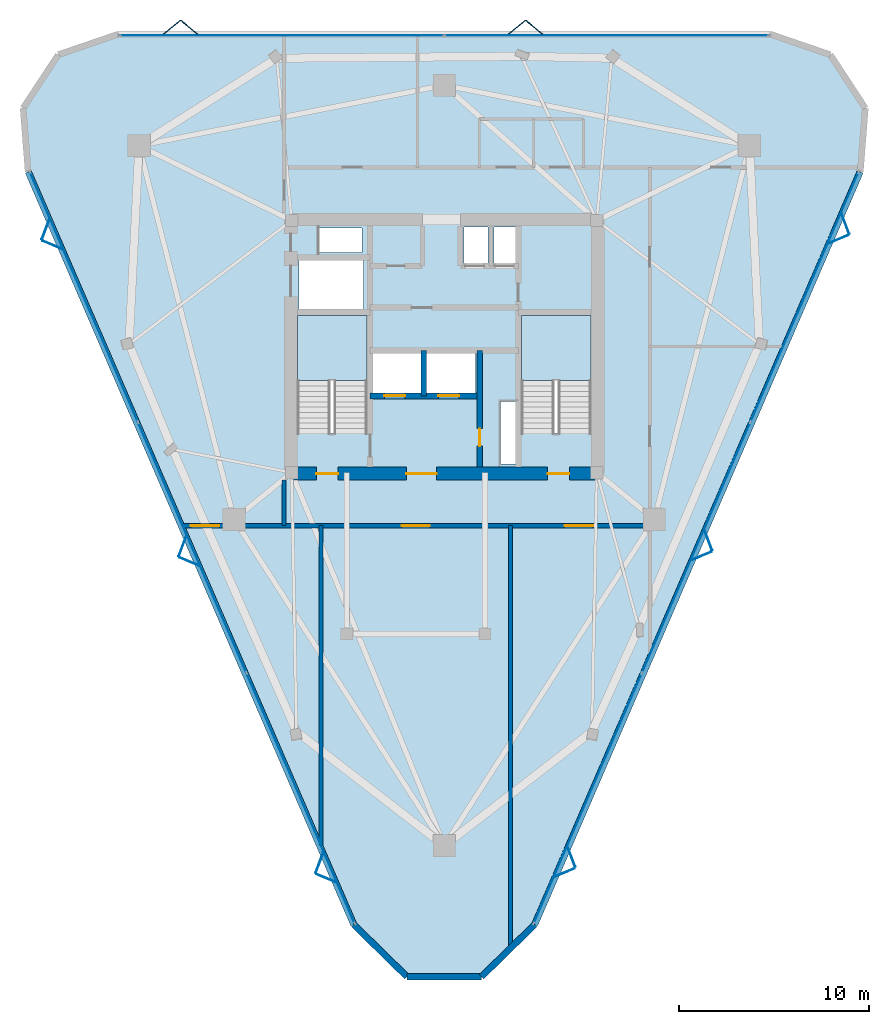
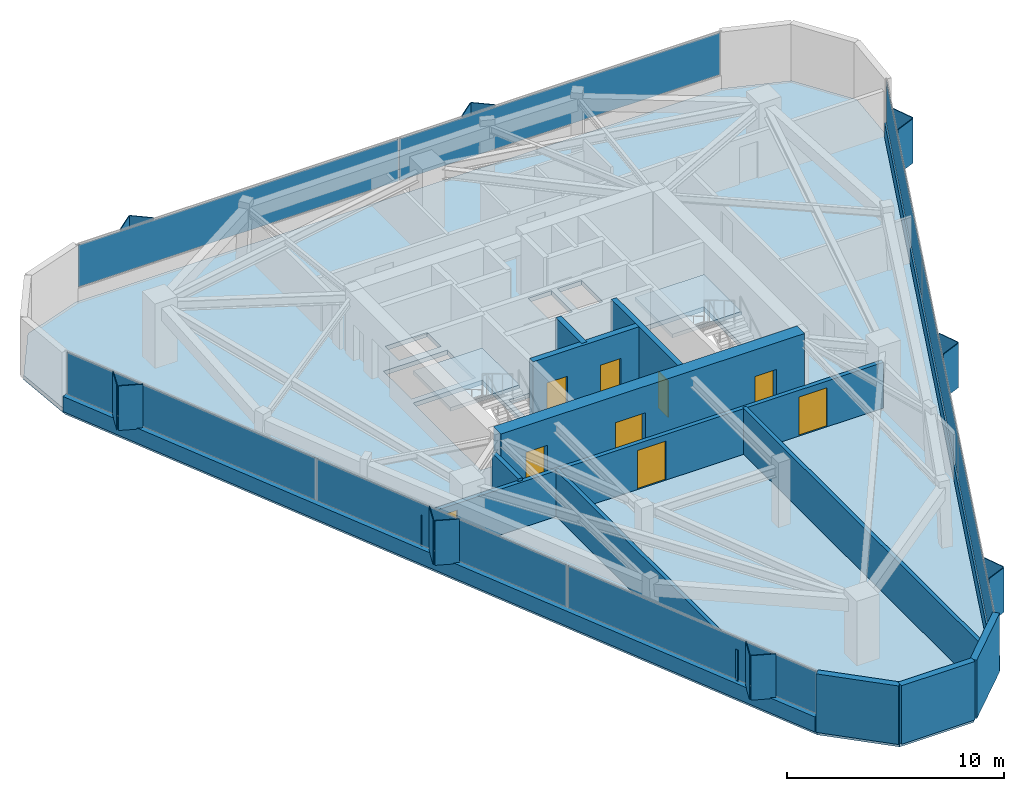
# One storey, part 8 of 11: 24 plates, 13 walls, 9 doors, 3 slabs, 9 openings, 5 elements without a shape of their own.
"""IFC4 building model written with IfcOpenShell, lengths in metres."""

from ifc_helpers import new_model, si_unit, direction, frame, frame_2d, origin, origin_2d, place, context, subcontext, project, spatial, polyline, rectangle, outline, extrude, material, layer, layer_set, type_object, element, fill, aggregate, save


model = new_model("IFC4")

# Units and contexts
model_context = context("Model", 3, precision=1e-05, world=origin(), true_north=direction((0.0, 1.0)))
body_context = subcontext(model_context, "Body", "Model", "MODEL_VIEW")
ifc_project = project(units=[si_unit("LENGTHUNIT", "METRE"), si_unit("AREAUNIT", "SQUARE_METRE"), si_unit("VOLUMEUNIT", "CUBIC_METRE"), si_unit("PLANEANGLEUNIT", "RADIAN"), si_unit("MASSUNIT", "GRAM", prefix="KILO")], contexts=[model_context])

# Site, building, storey
site_placement = place(None, origin())
site = spatial("IfcSite", under=ifc_project, at=site_placement, CompositionType="ELEMENT")
building_placement = place(site_placement, origin())
building = spatial("IfcBuilding", under=site, at=building_placement, Name="Talyreon Biosciences Tower", CompositionType="ELEMENT")
storey_placement = place(building_placement, frame((0.0, 0.0, 271.75)))
storey = spatial("IfcBuildingStorey", under=building, at=storey_placement, Name="L72", CompositionType="ELEMENT", Elevation=271.75)

# Curtain wall, plates
ifc_material_1 = material(Name="Thermally broken aluminium and low-E glazing", Category="aluminium")
ifc_layer_1 = layer(ifc_material_1, 0.175048828125)
ifc_layer_set_1 = layer_set([ifc_layer_1], Name="Thermally broken aluminium and low-E glazing")
curtain_wall_type = type_object("IfcCurtainWallType", Name="CurtainWall_Zone5CompLab", PredefinedType="NOTDEFINED", material=ifc_layer_set_1)
curtain_wall_1_placement = place(storey_placement, origin())
curtain_wall_1 = element("IfcCurtainWall", 1, at=curtain_wall_1_placement, inside=storey, type_object=curtain_wall_type, Name="L72 Unitised Curtain Wall FCW-L72-00", PredefinedType="NOTDEFINED")
ifc_material_2 = material(Name="Triple-silver low-E insulated glazing", Category="glass")
ifc_layer_2 = layer(ifc_material_2, 0.031982421875)
ifc_layer_set_2 = layer_set([ifc_layer_2], Name="Triple-silver low-E insulated glazing")
plate_type_1 = type_object("IfcPlateType", Name="CWGlazingPanel_32", PredefinedType="CURTAIN_PANEL", material=ifc_layer_set_2)
plate_1_placement = place(storey_placement, frame((58.431884765625, 44.170654296875, 0.875), z_axis=(0.0, 0.0, 1.0), x_axis=(-0.396886681377, 0.917867616895, 0.0)))
plate_1 = element("IfcPlate", 2, at=plate_1_placement, type_object=plate_type_1, Name="CW6 panel 1.1", PredefinedType="CURTAIN_PANEL", context=body_context, shape_type="SweptSolid", body=[
    extrude(rectangle(XDim=14.32568359375, YDim=0.031982421875, at=origin_2d()), origin(), (0.0, 0.0, 1.0), 2.360107421875),
])
plate_2_placement = place(storey_placement, frame((52.7138671875, 57.394287109375, 0.875), z_axis=(0.0, 0.0, 1.0), x_axis=(-0.396886681377, 0.917867616895, 0.0)))
plate_2 = element("IfcPlate", 3, at=plate_2_placement, type_object=plate_type_1, Name="CW6 panel 2.1", PredefinedType="CURTAIN_PANEL", context=body_context, shape_type="SweptSolid", body=[
    extrude(rectangle(XDim=14.358154296875, YDim=0.031982421875, at=origin_2d()), origin(), (0.0, 0.0, 1.0), 2.360107421875),
])
plate_3_placement = place(storey_placement, frame((46.99609375, 70.617919921875, 0.875), z_axis=(0.0, 0.0, 1.0), x_axis=(-0.396886681377, 0.917867616895, 0.0)))
plate_3 = element("IfcPlate", 4, at=plate_3_placement, type_object=plate_type_1, Name="CW6 panel 3.1", PredefinedType="CURTAIN_PANEL", context=body_context, shape_type="SweptSolid", body=[
    extrude(rectangle(XDim=14.32568359375, YDim=0.031982421875, at=origin_2d()), origin(), (0.0, 0.0, 1.0), 2.360107421875),
])
aggregate(curtain_wall_1, [plate_1, plate_2, plate_3])

curtain_wall_2_placement = place(storey_placement, origin())
curtain_wall_2 = element("IfcCurtainWall", 5, at=curtain_wall_2_placement, inside=storey, type_object=curtain_wall_type, Name="L72 Unitised Curtain Wall FCW-L72-04", PredefinedType="NOTDEFINED")
plate_4_placement = place(storey_placement, frame((57.4296875, 84.404052734375, 0.875), z_axis=(0.0, 0.0, 1.0), x_axis=(1.0, 0.0, 0.0)))
plate_4 = element("IfcPlate", 6, at=plate_4_placement, type_object=plate_type_1, Name="CW6 panel 1.1", PredefinedType="CURTAIN_PANEL", context=body_context, shape_type="SweptSolid", body=[
    extrude(rectangle(XDim=17.07568359375, YDim=0.031982421875, at=origin_2d()), origin(), (0.0, 0.0, 1.0), 2.360107421875),
])
plate_5_placement = place(storey_placement, frame((74.5703125, 84.404052734375, 0.875), z_axis=(0.0, 0.0, 1.0), x_axis=(1.0, 0.0, 0.0)))
plate_5 = element("IfcPlate", 7, at=plate_5_placement, type_object=plate_type_1, Name="CW6 panel 2.1", PredefinedType="CURTAIN_PANEL", context=body_context, shape_type="SweptSolid", body=[
    extrude(rectangle(XDim=17.07568359375, YDim=0.031982421875, at=origin_2d()), origin(), (0.0, 0.0, 1.0), 2.360107421875),
])
aggregate(curtain_wall_2, [plate_4, plate_5])

curtain_wall_3_placement = place(storey_placement, origin())
curtain_wall_3 = element("IfcCurtainWall", 8, at=curtain_wall_3_placement, inside=storey, type_object=curtain_wall_type, Name="L72 Unitised Curtain Wall FCW-L72-08", PredefinedType="NOTDEFINED")
plate_6_placement = place(storey_placement, frame((85.00390625, 70.617919921875, 0.875), z_axis=(0.0, 0.0, 1.0), x_axis=(-0.396886681377, -0.917867616895, 0.0)))
plate_6 = element("IfcPlate", 9, at=plate_6_placement, type_object=plate_type_1, Name="CW6 panel 1.1", PredefinedType="CURTAIN_PANEL", context=body_context, shape_type="SweptSolid", body=[
    extrude(rectangle(XDim=14.32568359375, YDim=0.031982421875, at=origin_2d()), origin(), (0.0, 0.0, 1.0), 2.360107421875),
])
plate_7_placement = place(storey_placement, frame((79.2861328125, 57.394287109375, 0.875), z_axis=(0.0, 0.0, 1.0), x_axis=(-0.396886681377, -0.917867616895, 0.0)))
plate_7 = element("IfcPlate", 10, at=plate_7_placement, type_object=plate_type_1, Name="CW6 panel 2.1", PredefinedType="CURTAIN_PANEL", context=body_context, shape_type="SweptSolid", body=[
    extrude(rectangle(XDim=14.358154296875, YDim=0.031982421875, at=origin_2d()), origin(), (0.0, 0.0, 1.0), 2.360107421875),
])
plate_8_placement = place(storey_placement, frame((73.568115234375, 44.170654296875, 0.875), z_axis=(0.0, 0.0, 1.0), x_axis=(-0.396886681377, -0.917867616895, 0.0)))
plate_8 = element("IfcPlate", 11, at=plate_8_placement, type_object=plate_type_1, Name="CW6 panel 3.1", PredefinedType="CURTAIN_PANEL", context=body_context, shape_type="SweptSolid", body=[
    extrude(rectangle(XDim=14.32568359375, YDim=0.031982421875, at=origin_2d()), origin(), (0.0, 0.0, 1.0), 2.360107421875),
])
aggregate(curtain_wall_3, [plate_6, plate_7, plate_8])

# Slab
ifc_material_3 = material(Name="Concrete C40/50", Category="concrete")
ifc_layer_3 = layer(ifc_material_3, 0.25)
ifc_layer_set_3 = layer_set([ifc_layer_3], Name="Concrete C40/50")
slab_type_1 = type_object("IfcSlabType", Name="DryLabFloorSlab_250", PredefinedType="FLOOR", material=ifc_layer_set_3)
slab_1_placement = place(storey_placement, frame((0.0, 0.0, -0.25)))
element("IfcSlab", 12, at=slab_1_placement, inside=storey, type_object=slab_type_1, Name="L72 Structural Floor Slab", PredefinedType="FLOOR", context=body_context, shape_type="SweptSolid", body=[
    extrude(outline(polyline([(61.22705078125, 37.504638671875), (44.053955078125, 77.22021484375), (43.79052734375, 80.578369140625), (45.64013671875, 83.393310546875), (48.826904296875, 84.484130859375), (83.173095703125, 84.484130859375), (86.35986328125, 83.393310546875), (88.20947265625, 80.578369140625), (87.946044921875, 77.22021484375), (70.77294921875, 37.504638671875), (67.965087890625, 34.75390625), (64.034912109375, 34.75390625), (61.22705078125, 37.504638671875)]), holes=[polyline([(69.820068359375, 65.10009765625), (69.820068359375, 61.800048828125), (68.9599609375, 61.800048828125), (68.9599609375, 65.10009765625), (69.820068359375, 65.10009765625)]), polyline([(61.929931640625, 69.64990234375), (61.929931640625, 63.407958984375), (58.25, 63.407958984375), (58.25, 69.64990234375), (61.929931640625, 69.64990234375)]), polyline([(73.75, 69.64990234375), (73.75, 63.407958984375), (70.070068359375, 63.407958984375), (70.070068359375, 69.64990234375), (73.75, 69.64990234375)]), polyline([(64.800048828125, 67.64990234375), (64.800048828125, 65.550048828125), (62.199951171875, 65.550048828125), (62.199951171875, 67.64990234375), (64.800048828125, 67.64990234375)]), polyline([(67.64990234375, 67.64990234375), (67.64990234375, 65.550048828125), (65.050048828125, 65.550048828125), (65.050048828125, 67.64990234375), (67.64990234375, 67.64990234375)]), polyline([(61.75, 72.550048828125), (61.75, 69.97998046875), (58.35009765625, 69.97998046875), (58.35009765625, 72.550048828125), (61.75, 72.550048828125)]), polyline([(68.300048828125, 74.300048828125), (68.300048828125, 72.35009765625), (67.050048828125, 72.35009765625), (67.050048828125, 74.300048828125), (68.300048828125, 74.300048828125)]), polyline([(69.919921875, 72.35009765625), (68.6201171875, 72.35009765625), (68.6201171875, 74.300048828125), (69.919921875, 74.300048828125), (69.919921875, 72.35009765625)]), polyline([(61.64990234375, 72.9599609375), (59.39990234375, 72.9599609375), (59.39990234375, 74.25), (61.64990234375, 74.25), (61.64990234375, 72.9599609375)])]), origin(), (0.0, 0.0, 1.0), 0.25),
])

# Plates
ifc_material_4 = material(Name="Ivory GFRC sunshade panel", Category="concrete")
ifc_layer_4 = layer(ifc_material_4, 0.044921875)
ifc_layer_set_4 = layer_set([ifc_layer_4], Name="Ivory GFRC sunshade panel")
plate_type_2 = type_object("IfcPlateType", Name="FoldedVSunshade_NorthFace_SUNSHADE", PredefinedType="USERDEFINED", material=ifc_layer_set_4)
for number, where, z_axis, x_axis, name in (
    (13, (51.64697265625, 84.843994140625, 0.7900390625), (0.0, 0.0, 1.0), (0.771624583388, 0.636078220278, 0.0), "L72 Folded V-Sunshade Panel 04.01L"),
    (14, (52.546875, 84.843994140625, 0.7900390625), (0.0, 0.0, 1.0), (0.771624583388, -0.636078220278, 0.0), "L72 Folded V-Sunshade Panel 04.01R"),
    (15, (69.846923828125, 84.843994140625, 0.7900390625), (0.0, 0.0, 1.0), (0.771624583388, 0.636078220278, 0.0), "L72 Folded V-Sunshade Panel 04.02L"),
    (16, (70.746826171875, 84.843994140625, 0.7900390625), (0.0, 0.0, 1.0), (0.771624583388, -0.636078220278, 0.0), "L72 Folded V-Sunshade Panel 04.02R"),
):
    element("IfcPlate", number, at=place(storey_placement, frame(where, z_axis=z_axis, x_axis=x_axis)), inside=storey, type_object=plate_type_2, Name=name, ObjectType="SUNSHADE", PredefinedType="USERDEFINED", context=body_context, shape_type="SweptSolid", body=[
        extrude(rectangle(XDim=1.14990234375, YDim=0.044921875, at=origin_2d()), origin(), (0.0, 0.0, 1.0), 2.510009765625),
    ])
ifc_layer_5 = layer(ifc_material_4, 0.044921875)
ifc_layer_set_5 = layer_set([ifc_layer_5], Name="Ivory GFRC sunshade panel")
plate_type_3 = type_object("IfcPlateType", Name="FoldedVSunshade_SunFace_SUNSHADE", PredefinedType="USERDEFINED", material=ifc_layer_set_5)
for number, where, z_axis, x_axis, name in (
    (17, (59.77734375, 39.9501953125, 0.7900390625), (0.0, 0.0, 1.0), (-0.923102865619, 0.3845531166, 0.0), "L72 Folded V-Sunshade Panel 00.01L"),
    (18, (59.420166015625, 40.776123046875, 0.7900390625), (0.0, 0.0, 1.0), (0.352103031817, 0.935961246519, 0.0), "L72 Folded V-Sunshade Panel 00.01R"),
    (19, (52.55419921875, 56.6552734375, 0.7900390625), (0.0, 0.0, 1.0), (-0.923102865619, 0.3845531166, 0.0), "L72 Folded V-Sunshade Panel 00.02L"),
    (20, (52.197021484375, 57.4814453125, 0.7900390625), (0.0, 0.0, 1.0), (0.352103031817, 0.935961246519, 0.0), "L72 Folded V-Sunshade Panel 00.02R"),
    (21, (45.330810546875, 73.360595703125, 0.7900390625), (0.0, 0.0, 1.0), (-0.923102865619, 0.3845531166, 0.0), "L72 Folded V-Sunshade Panel 00.03L"),
    (22, (44.9736328125, 74.1865234375, 0.7900390625), (0.0, 0.0, 1.0), (0.352103031817, 0.935961246519, 0.0), "L72 Folded V-Sunshade Panel 00.03R"),
    (23, (87.1572265625, 74.489013671875, 0.7900390625), (0.0, 0.0, 1.0), (0.352103031817, -0.935961246519, 0.0), "L72 Folded V-Sunshade Panel 08.01L"),
    (24, (86.800048828125, 73.6630859375, 0.7900390625), (0.0, 0.0, 1.0), (-0.923102865619, -0.3845531166, 0.0), "L72 Folded V-Sunshade Panel 08.01R"),
    (25, (79.933837890625, 57.78369140625, 0.7900390625), (0.0, 0.0, 1.0), (0.352103031817, -0.935961246519, 0.0), "L72 Folded V-Sunshade Panel 08.02L"),
    (26, (79.57666015625, 56.957763671875, 0.7900390625), (0.0, 0.0, 1.0), (-0.923102865619, -0.3845531166, 0.0), "L72 Folded V-Sunshade Panel 08.02R"),
    (27, (72.71044921875, 41.07861328125, 0.7900390625), (0.0, 0.0, 1.0), (0.352103031817, -0.935961246519, 0.0), "L72 Folded V-Sunshade Panel 08.03L"),
    (28, (72.353271484375, 40.252685546875, 0.7900390625), (0.0, 0.0, 1.0), (-0.923102865619, -0.3845531166, 0.0), "L72 Folded V-Sunshade Panel 08.03R"),
):
    element("IfcPlate", number, at=place(storey_placement, frame(where, z_axis=z_axis, x_axis=x_axis)), inside=storey, type_object=plate_type_3, Name=name, ObjectType="SUNSHADE", PredefinedType="USERDEFINED", context=body_context, shape_type="SweptSolid", body=[
        extrude(rectangle(XDim=1.14990234375, YDim=0.044921875, at=origin_2d()), origin(), (0.0, 0.0, 1.0), 2.510009765625),
    ])

# Stair, slab
stair_type = type_object("IfcStairType", Name="DoglegEscapeStair_3650", PredefinedType="HALF_TURN_STAIR", material=ifc_material_3)
stair_1_placement = place(storey_placement, origin())
stair_1 = element("IfcStair", 29, at=stair_1_placement, inside=storey, type_object=stair_type, Name="L72 Core Escape Stair 1", PredefinedType="HALF_TURN_STAIR")
ifc_layer_6 = layer(ifc_material_3, 0.199951171875)
ifc_layer_set_6 = layer_set([ifc_layer_6], Name="Concrete C40/50")
slab_type_2 = type_object("IfcSlabType", Name="StairLandingSlab_200", PredefinedType="LANDING", material=ifc_layer_set_6)
slab_2_placement = place(storey_placement, frame((0.0, 0.0, 1.625)))
slab_2 = element("IfcSlab", 30, at=slab_2_placement, type_object=slab_type_2, Name="ST-1 landing 1", PredefinedType="LANDING", context=body_context, shape_type="SweptSolid", body=[
    extrude(outline(polyline([(61.929931640625, 66.199951171875), (61.929931640625, 69.64990234375), (58.25, 69.64990234375), (58.25, 66.199951171875), (61.929931640625, 66.199951171875)])), origin(), (0.0, 0.0, 1.0), 0.199951171875),
])
aggregate(stair_1, [slab_2])

stair_2_placement = place(storey_placement, origin())
stair_2 = element("IfcStair", 31, at=stair_2_placement, inside=storey, type_object=stair_type, Name="L72 Core Escape Stair 2", PredefinedType="HALF_TURN_STAIR")
slab_3_placement = place(storey_placement, frame((0.0, 0.0, 1.625)))
slab_3 = element("IfcSlab", 32, at=slab_3_placement, type_object=slab_type_2, Name="ST-2 landing 1", PredefinedType="LANDING", context=body_context, shape_type="SweptSolid", body=[
    extrude(outline(polyline([(73.75, 66.199951171875), (73.75, 69.64990234375), (70.070068359375, 69.64990234375), (70.070068359375, 66.199951171875), (73.75, 66.199951171875)])), origin(), (0.0, 0.0, 1.0), 0.199951171875),
])
aggregate(stair_2, [slab_3])

# Walls
ifc_material_5 = material(Name="Gypsum fireboard acoustic stud", Category="gypsum")
ifc_layer_7 = layer(ifc_material_5, 0.199951171875)
ifc_layer_set_7 = layer_set([ifc_layer_7], Name="Gypsum fireboard acoustic stud")
wall_type_1 = type_object("IfcWallType", Name="ChemControlPartition_200", PredefinedType="PARTITIONING", material=ifc_layer_set_7)
wall_1_placement = place(storey_placement, frame((59.5, 41.712890625, 0.0), z_axis=(0.0, 0.0, 1.0), x_axis=(0.0, 1.0, 0.0)))
element("IfcWall", 33, at=wall_1_placement, inside=storey, type_object=wall_type_1, Name="L72 Interior Wall IW-L72-SDIV1", PredefinedType="PARTITIONING", context=body_context, shape_type="SweptSolid", body=[
    extrude(rectangle(XDim=16.837158203125, YDim=0.199951171875, at=frame_2d((8.41845703125, 0.0))), origin(), (0.0, 0.0, 1.0), 2.580078125),
])
wall_2_placement = place(storey_placement, frame((69.5, 36.376708984375, 0.0), z_axis=(0.0, 0.0, 1.0), x_axis=(0.0, 1.0, 0.0)))
element("IfcWall", 34, at=wall_2_placement, inside=storey, type_object=wall_type_1, Name="L72 Interior Wall IW-L72-SDIV2", PredefinedType="PARTITIONING", context=body_context, shape_type="SweptSolid", body=[
    extrude(rectangle(XDim=22.17333984375, YDim=0.199951171875, at=frame_2d((11.086669921875, 0.0))), origin(), (0.0, 0.0, 1.0), 2.580078125),
])
ifc_material_6 = material(Name="Concrete C50/60", Category="concrete")
ifc_layer_8 = layer(ifc_material_6, 0.280029296875)
ifc_layer_set_8 = layer_set([ifc_layer_8], Name="Concrete C50/60")
wall_type_2 = type_object("IfcWallType", Name="CoreShearWall_280", PredefinedType="SHEAR", material=ifc_layer_set_8)
wall_3_placement = place(storey_placement, frame((64.919921875, 65.39990234375, 0.0), z_axis=(0.0, 0.0, 1.0), x_axis=(0.0, 1.0, 0.0)))
element("IfcWall", 35, at=wall_3_placement, inside=storey, type_object=wall_type_2, Name="L72 Core Shaft Wall SWSHD1", PredefinedType="SHEAR", context=body_context, shape_type="SweptSolid", body=[
    extrude(rectangle(XDim=2.400146484375, YDim=0.280029296875, at=frame_2d((1.2001953125, 0.0))), origin(), (0.0, 0.0, 1.0), 3.64990234375),
])

# Wall, opening, door
wall_4_placement = place(storey_placement, frame((67.8798828125, 61.64990234375, 0.0), z_axis=(0.0, 0.0, 1.0), x_axis=(0.0, 1.0, 0.0)))
wall_4 = element("IfcWall", 36, at=wall_4_placement, inside=storey, type_object=wall_type_2, Name="L72 Core Shaft Wall SWFFE", PredefinedType="SHEAR", context=body_context, shape_type="SweptSolid", body=[
    extrude(rectangle(XDim=6.150146484375, YDim=0.280029296875, at=frame_2d((3.0751953125, 0.0))), origin(), (0.0, 0.0, 1.0), 3.64990234375),
])
opening_1_placement = place(wall_4_placement, frame((1.10009765625, 0.0, 0.0)))
opening_1 = element("IfcOpeningElement", 37, at=opening_1_placement, cuts=wall_4, Name="Opening DR-L72-RSE", PredefinedType="OPENING", context=body_context, shape_type="SweptSolid", body=[
    extrude(rectangle(XDim=0.919921875, YDim=2.050048828125, at=frame_2d((0.4599609375, 1.02490234375))), frame((0.0, 0.14990234375, 0.0), z_axis=(0.0, -1.0, 0.0), x_axis=(1.0, 0.0, 0.0)), (0.0, 0.0, 1.0), 0.300048828125),
])
ifc_material_7 = material(Name="Painted steel fire-rated riser door", Category="steel")
door_type_1 = type_object("IfcDoorType", Name="RiserPlantAccessDoor_920x2050", OperationType="NOTDEFINED", PredefinedType="DOOR", material=ifc_material_7)
door_1_placement = place(opening_1_placement, origin())
door_1 = element("IfcDoor", 38, at=door_1_placement, inside=storey, type_object=door_type_1, Name="L72 Core Door DR-L72-RSE", OperationType="SINGLE_SWING_RIGHT", OverallHeight=2.050048828125, OverallWidth=0.919921875, PredefinedType="DOOR", context=body_context, shape_type="SweptSolid", body=[
    extrude(rectangle(XDim=0.919921875, YDim=2.050048828125, at=frame_2d((0.4599609375, 1.02490234375))), frame((0.0, 0.02490234375, 0.0), z_axis=(0.0, -1.0, 0.0), x_axis=(1.0, 0.0, 0.0)), (0.0, 0.0, 1.0), 0.050048828125),
])
fill(opening_1, door_1)

# Wall, openings, doors
ifc_layer_9 = layer(ifc_material_6, 0.320068359375)
ifc_layer_set_9 = layer_set([ifc_layer_9], Name="Concrete C50/60")
wall_type_3 = type_object("IfcWallType", Name="CoreShearWall_320", PredefinedType="SHEAR", material=ifc_layer_set_9)
wall_5_placement = place(storey_placement, frame((62.090087890625, 65.39990234375, 0.0), z_axis=(0.0, 0.0, 1.0), x_axis=(1.0, 0.0, 0.0)))
wall_5 = element("IfcWall", 39, at=wall_5_placement, inside=storey, type_object=wall_type_3, Name="L72 Core Shaft Wall SWFFN", PredefinedType="SHEAR", context=body_context, shape_type="SweptSolid", body=[
    extrude(rectangle(XDim=5.789794921875, YDim=0.320068359375, at=frame_2d((2.89501953125, 0.0))), origin(), (0.0, 0.0, 1.0), 3.64990234375),
])
opening_2_placement = place(wall_5_placement, frame((0.75, 0.0, 0.0)))
opening_2 = element("IfcOpeningElement", 40, at=opening_2_placement, cuts=wall_5, Name="Opening LD-L72-FL1", PredefinedType="OPENING", context=body_context, shape_type="SweptSolid", body=[
    extrude(rectangle(XDim=1.10009765625, YDim=2.199951171875, at=frame_2d((0.550048828125, 1.10009765625))), frame((0.0, 0.169921875, 0.0), z_axis=(0.0, -1.0, 0.0), x_axis=(1.0, 0.0, 0.0)), (0.0, 0.0, 1.0), 0.340087890625),
])
opening_3_placement = place(wall_5_placement, frame((3.60009765625, 0.0, 0.0)))
opening_3 = element("IfcOpeningElement", 41, at=opening_3_placement, cuts=wall_5, Name="Opening LD-L72-FL2", PredefinedType="OPENING", context=body_context, shape_type="SweptSolid", body=[
    extrude(rectangle(XDim=1.10009765625, YDim=2.199951171875, at=frame_2d((0.550048828125, 1.10009765625))), frame((0.0, 0.169921875, 0.0), z_axis=(0.0, -1.0, 0.0), x_axis=(1.0, 0.0, 0.0)), (0.0, 0.0, 1.0), 0.340087890625),
])
ifc_material_8 = material(Name="Brushed stainless-steel lift landing door", Category="steel")
door_type_2 = type_object("IfcDoorType", Name="LiftSlidingLandingDoor_1100x2200", OperationType="SLIDING_TO_LEFT", PredefinedType="DOOR", material=ifc_material_8)
door_2_placement = place(opening_2_placement, origin())
door_2 = element("IfcDoor", 42, at=door_2_placement, inside=storey, type_object=door_type_2, Name="L72 Core Door LD-L72-FL1", OperationType="SLIDING_TO_LEFT", OverallHeight=2.199951171875, OverallWidth=1.10009765625, PredefinedType="DOOR", context=body_context, shape_type="SweptSolid", body=[
    extrude(rectangle(XDim=1.10009765625, YDim=2.199951171875, at=frame_2d((0.550048828125, 1.10009765625))), frame((0.0, 0.02490234375, 0.0), z_axis=(0.0, -1.0, 0.0), x_axis=(1.0, 0.0, 0.0)), (0.0, 0.0, 1.0), 0.050048828125),
])
fill(opening_2, door_2)
door_3_placement = place(opening_3_placement, origin())
door_3 = element("IfcDoor", 43, at=door_3_placement, inside=storey, type_object=door_type_2, Name="L72 Core Door LD-L72-FL2", OperationType="SLIDING_TO_LEFT", OverallHeight=2.199951171875, OverallWidth=1.10009765625, PredefinedType="DOOR", context=body_context, shape_type="SweptSolid", body=[
    extrude(rectangle(XDim=1.10009765625, YDim=2.199951171875, at=frame_2d((0.550048828125, 1.10009765625))), frame((0.0, 0.02490234375, 0.0), z_axis=(0.0, -1.0, 0.0), x_axis=(1.0, 0.0, 0.0)), (0.0, 0.0, 1.0), 0.050048828125),
])
fill(opening_3, door_3)

ifc_layer_10 = layer(ifc_material_6, 0.699951171875)
ifc_layer_set_10 = layer_set([ifc_layer_10], Name="Concrete C50/60")
wall_type_4 = type_object("IfcWallType", Name="CoreShearWall_700", PredefinedType="SHEAR", material=ifc_layer_set_10)
wall_6_placement = place(storey_placement, frame((57.89990234375, 61.300048828125, 0.0), z_axis=(0.0, 0.0, 1.0), x_axis=(1.0, 0.0, 0.0)))
wall_6 = element("IfcWall", 44, at=wall_6_placement, inside=storey, type_object=wall_type_4, Name="L72 Core Shear Wall S", PredefinedType="SHEAR", context=body_context, shape_type="SweptSolid", body=[
    extrude(rectangle(XDim=16.2001953125, YDim=0.699951171875, at=frame_2d((8.10009765625, 0.0))), origin(), (0.0, 0.0, 1.0), 3.64990234375),
])
opening_4_placement = place(wall_6_placement, frame((1.35009765625, 0.0, 0.0)))
opening_4 = element("IfcOpeningElement", 45, at=opening_4_placement, cuts=wall_6, Name="Opening DR-L72-ST1", PredefinedType="OPENING", context=body_context, shape_type="SweptSolid", body=[
    extrude(rectangle(XDim=1.14990234375, YDim=2.14990234375, at=frame_2d((0.574951171875, 1.074951171875))), frame((0.0, 0.35986328125, 0.0), z_axis=(0.0, -1.0, 0.0), x_axis=(1.0, 0.0, 0.0)), (0.0, 0.0, 1.0), 0.719970703125),
])
opening_5_placement = place(wall_6_placement, frame((6.10009765625, 0.0, 0.0)))
opening_5 = element("IfcOpeningElement", 46, at=opening_5_placement, cuts=wall_6, Name="Opening DR-L72-FFL", PredefinedType="OPENING", context=body_context, shape_type="SweptSolid", body=[
    extrude(rectangle(XDim=1.60009765625, YDim=2.14990234375, at=frame_2d((0.800048828125, 1.074951171875))), frame((0.0, 0.35986328125, 0.0), z_axis=(0.0, -1.0, 0.0), x_axis=(1.0, 0.0, 0.0)), (0.0, 0.0, 1.0), 0.719970703125),
])
opening_6_placement = place(wall_6_placement, frame((13.550048828125, 0.0, 0.0)))
opening_6 = element("IfcOpeningElement", 47, at=opening_6_placement, cuts=wall_6, Name="Opening DR-L72-ST2", PredefinedType="OPENING", context=body_context, shape_type="SweptSolid", body=[
    extrude(rectangle(XDim=1.14990234375, YDim=2.14990234375, at=frame_2d((0.574951171875, 1.074951171875))), frame((0.0, 0.35986328125, 0.0), z_axis=(0.0, -1.0, 0.0), x_axis=(1.0, 0.0, 0.0)), (0.0, 0.0, 1.0), 0.719970703125),
])
ifc_material_9 = material(Name="Painted steel smoke-seal fire door", Category="steel")
door_type_3 = type_object("IfcDoorType", Name="FirefightingLobbyDoubleDoor_1600x2150", OperationType="DOUBLE_DOOR_SINGLE_SWING", PredefinedType="DOOR", material=ifc_material_9)
door_4_placement = place(opening_5_placement, origin())
door_4 = element("IfcDoor", 48, at=door_4_placement, inside=storey, type_object=door_type_3, Name="L72 Core Door DR-L72-FFL", OperationType="DOUBLE_DOOR_SINGLE_SWING", OverallHeight=2.14990234375, OverallWidth=1.60009765625, PredefinedType="DOOR", context=body_context, shape_type="SweptSolid", body=[
    extrude(rectangle(XDim=1.60009765625, YDim=2.14990234375, at=frame_2d((0.800048828125, 1.074951171875))), frame((0.0, 0.02490234375, 0.0), z_axis=(0.0, -1.0, 0.0), x_axis=(1.0, 0.0, 0.0)), (0.0, 0.0, 1.0), 0.050048828125),
])
fill(opening_5, door_4)
ifc_material_10 = material(Name="Painted steel fire door", Category="steel")
door_type_4 = type_object("IfcDoorType", Name="StairShaftFireDoor_1150x2150", OperationType="NOTDEFINED", PredefinedType="DOOR", material=ifc_material_10)
door_5_placement = place(opening_4_placement, origin())
door_5 = element("IfcDoor", 49, at=door_5_placement, inside=storey, type_object=door_type_4, Name="L72 Core Door DR-L72-ST1", OperationType="SINGLE_SWING_LEFT", OverallHeight=2.14990234375, OverallWidth=1.14990234375, PredefinedType="DOOR", context=body_context, shape_type="SweptSolid", body=[
    extrude(rectangle(XDim=1.14990234375, YDim=2.14990234375, at=frame_2d((0.574951171875, 1.074951171875))), frame((0.0, 0.02490234375, 0.0), z_axis=(0.0, -1.0, 0.0), x_axis=(1.0, 0.0, 0.0)), (0.0, 0.0, 1.0), 0.050048828125),
])
fill(opening_4, door_5)
door_6_placement = place(opening_6_placement, origin())
door_6 = element("IfcDoor", 50, at=door_6_placement, inside=storey, type_object=door_type_4, Name="L72 Core Door DR-L72-ST2", OperationType="SINGLE_SWING_RIGHT", OverallHeight=2.14990234375, OverallWidth=1.14990234375, PredefinedType="DOOR", context=body_context, shape_type="SweptSolid", body=[
    extrude(rectangle(XDim=1.14990234375, YDim=2.14990234375, at=frame_2d((0.574951171875, 1.074951171875))), frame((0.0, 0.02490234375, 0.0), z_axis=(0.0, -1.0, 0.0), x_axis=(1.0, 0.0, 0.0)), (0.0, 0.0, 1.0), 0.050048828125),
])
fill(opening_6, door_6)

ifc_layer_11 = layer(ifc_material_5, 0.219970703125)
ifc_layer_set_11 = layer_set([ifc_layer_11], Name="Gypsum fireboard acoustic stud")
wall_type_5 = type_object("IfcWallType", Name="CorridorRatedPartition_220", PredefinedType="PARTITIONING", material=ifc_layer_set_11)
wall_7_placement = place(storey_placement, frame((52.2197265625, 58.550048828125, 0.0), z_axis=(0.0, 0.0, 1.0), x_axis=(1.0, 0.0, 0.0)))
wall_7 = element("IfcWall", 51, at=wall_7_placement, inside=storey, type_object=wall_type_5, Name="L72 Interior Wall IW-L72-COR-S", PredefinedType="PARTITIONING", context=body_context, shape_type="SweptSolid", body=[
    extrude(rectangle(XDim=24.63037109375, YDim=0.219970703125, at=frame_2d((12.315185546875, 0.0))), origin(), (0.0, 0.0, 1.0), 2.580078125),
])
opening_7_placement = place(wall_7_placement, frame((0.419921875, 0.0, 0.0)))
opening_7 = element("IfcOpeningElement", 52, at=opening_7_placement, cuts=wall_7, Name="Opening DR-L72-S1A", PredefinedType="OPENING", context=body_context, shape_type="SweptSolid", body=[
    extrude(rectangle(XDim=1.5, YDim=2.199951171875, at=frame_2d((0.75, 1.10009765625))), frame((0.0, 0.119873046875, 0.0), z_axis=(0.0, -1.0, 0.0), x_axis=(1.0, 0.0, 0.0)), (0.0, 0.0, 1.0), 0.239990234375),
])
opening_8_placement = place(wall_7_placement, frame((11.530029296875, 0.0, 0.0)))
opening_8 = element("IfcOpeningElement", 53, at=opening_8_placement, cuts=wall_7, Name="Opening DR-L72-S2A", PredefinedType="OPENING", context=body_context, shape_type="SweptSolid", body=[
    extrude(rectangle(XDim=1.5, YDim=2.199951171875, at=frame_2d((0.75, 1.10009765625))), frame((0.0, 0.119873046875, 0.0), z_axis=(0.0, -1.0, 0.0), x_axis=(1.0, 0.0, 0.0)), (0.0, 0.0, 1.0), 0.239990234375),
])
opening_9_placement = place(wall_7_placement, frame((20.1298828125, 0.0, 0.0)))
opening_9 = element("IfcOpeningElement", 54, at=opening_9_placement, cuts=wall_7, Name="Opening DR-L72-S3A", PredefinedType="OPENING", context=body_context, shape_type="SweptSolid", body=[
    extrude(rectangle(XDim=1.5, YDim=2.199951171875, at=frame_2d((0.75, 1.10009765625))), frame((0.0, 0.119873046875, 0.0), z_axis=(0.0, -1.0, 0.0), x_axis=(1.0, 0.0, 0.0)), (0.0, 0.0, 1.0), 0.239990234375),
])
ifc_material_11 = material(Name="Vision-panel steel laboratory fire door", Category="steel")
door_type_5 = type_object("IfcDoorType", Name="WetLabDoubleLeafDoor_1500x2200", OperationType="DOUBLE_DOOR_SINGLE_SWING", PredefinedType="DOOR", material=ifc_material_11)
door_7_placement = place(opening_7_placement, origin())
door_7 = element("IfcDoor", 55, at=door_7_placement, inside=storey, type_object=door_type_5, Name="L72 Interior Door DR-L72-S1A", OperationType="DOUBLE_DOOR_SINGLE_SWING", OverallHeight=2.199951171875, OverallWidth=1.5, PredefinedType="DOOR", context=body_context, shape_type="SweptSolid", body=[
    extrude(rectangle(XDim=1.5, YDim=2.199951171875, at=frame_2d((0.75, 1.10009765625))), frame((0.0, 0.02490234375, 0.0), z_axis=(0.0, -1.0, 0.0), x_axis=(1.0, 0.0, 0.0)), (0.0, 0.0, 1.0), 0.050048828125),
])
fill(opening_7, door_7)
door_8_placement = place(opening_8_placement, origin())
door_8 = element("IfcDoor", 56, at=door_8_placement, inside=storey, type_object=door_type_5, Name="L72 Interior Door DR-L72-S2A", OperationType="DOUBLE_DOOR_SINGLE_SWING", OverallHeight=2.199951171875, OverallWidth=1.5, PredefinedType="DOOR", context=body_context, shape_type="SweptSolid", body=[
    extrude(rectangle(XDim=1.5, YDim=2.199951171875, at=frame_2d((0.75, 1.10009765625))), frame((0.0, 0.02490234375, 0.0), z_axis=(0.0, -1.0, 0.0), x_axis=(1.0, 0.0, 0.0)), (0.0, 0.0, 1.0), 0.050048828125),
])
fill(opening_8, door_8)
door_9_placement = place(opening_9_placement, origin())
door_9 = element("IfcDoor", 57, at=door_9_placement, inside=storey, type_object=door_type_5, Name="L72 Interior Door DR-L72-S3A", OperationType="DOUBLE_DOOR_SINGLE_SWING", OverallHeight=2.199951171875, OverallWidth=1.5, PredefinedType="DOOR", context=body_context, shape_type="SweptSolid", body=[
    extrude(rectangle(XDim=1.5, YDim=2.199951171875, at=frame_2d((0.75, 1.10009765625))), frame((0.0, 0.02490234375, 0.0), z_axis=(0.0, -1.0, 0.0), x_axis=(1.0, 0.0, 0.0)), (0.0, 0.0, 1.0), 0.050048828125),
])
fill(opening_9, door_9)

# Walls
wall_8_placement = place(storey_placement, frame((57.550048828125, 58.550048828125, 0.0), z_axis=(0.0, 0.0, 1.0), x_axis=(0.0, 1.0, 0.0)))
element("IfcWall", 58, at=wall_8_placement, inside=storey, type_object=wall_type_5, Name="L72 Interior Wall IW-L72-WCAP-S", PredefinedType="PARTITIONING", context=body_context, shape_type="SweptSolid", body=[
    extrude(rectangle(XDim=2.39990234375, YDim=0.219970703125, at=frame_2d((1.199951171875, 0.0))), origin(), (0.0, 0.0, 1.0), 2.72998046875),
])
ifc_material_12 = material(Name="Precast concrete C45/55", Category="concrete")
ifc_layer_12 = layer(ifc_material_12, 0.340087890625)
ifc_layer_set_12 = layer_set([ifc_layer_12], Name="Precast concrete C45/55")
wall_type_6 = type_object("IfcWallType", Name="PrecastConcreteSpandrelWall_340", PredefinedType="STANDARD", material=ifc_layer_set_12)
for number, where, z_axis, x_axis, name in (
    (59, (61.22705078125, 37.504638671875, 0.0), (0.0, 0.0, 1.0), (-0.396887640238, 0.917867202283, 0.0), "L72 Expressed Concrete Sill Wall 00"),
    (60, (87.946044921875, 77.22021484375, 0.0), (0.0, 0.0, 1.0), (-0.396887640238, -0.917867202283, 0.0), "L72 Expressed Concrete Sill Wall 08"),
):
    element("IfcWall", number, at=place(storey_placement, frame(where, z_axis=z_axis, x_axis=x_axis)), inside=storey, type_object=wall_type_6, Name=name, PredefinedType="STANDARD", context=body_context, shape_type="SweptSolid", body=[
        extrude(rectangle(XDim=43.26953125, YDim=0.340087890625, at=frame_2d((21.634765625, 0.0))), origin(), (0.0, 0.0, 1.0), 0.85009765625),
    ])
wall_9_placement = place(storey_placement, frame((70.77294921875, 37.504638671875, 0.0), z_axis=(0.0, 0.0, 1.0), x_axis=(-0.7143364033, -0.699802474218, 0.0)))
element("IfcWall", 61, at=wall_9_placement, inside=storey, type_object=wall_type_6, Name="L72 Rounded-Corner Concrete Pier 09", PredefinedType="STANDARD", context=body_context, shape_type="SweptSolid", body=[
    extrude(rectangle(XDim=3.9306640625, YDim=0.340087890625, at=frame_2d((1.96533203125, 0.0))), origin(), (0.0, 0.0, 1.0), 3.300048828125),
])
wall_10_placement = place(storey_placement, frame((67.965087890625, 34.75390625, 0.0), z_axis=(0.0, 0.0, 1.0), x_axis=(-1.0, 0.0, 0.0)))
element("IfcWall", 62, at=wall_10_placement, inside=storey, type_object=wall_type_6, Name="L72 Rounded-Corner Concrete Pier 10", PredefinedType="STANDARD", context=body_context, shape_type="SweptSolid", body=[
    extrude(rectangle(XDim=3.93017578125, YDim=0.340087890625, at=frame_2d((1.965087890625, 0.0))), origin(), (0.0, 0.0, 1.0), 3.300048828125),
])
wall_11_placement = place(storey_placement, frame((64.034912109375, 34.75390625, 0.0), z_axis=(0.0, 0.0, 1.0), x_axis=(-0.7143364033, 0.699802474218, 0.0)))
element("IfcWall", 63, at=wall_11_placement, inside=storey, type_object=wall_type_6, Name="L72 Rounded-Corner Concrete Pier 11", PredefinedType="STANDARD", context=body_context, shape_type="SweptSolid", body=[
    extrude(rectangle(XDim=3.9306640625, YDim=0.340087890625, at=frame_2d((1.96533203125, 0.0))), origin(), (0.0, 0.0, 1.0), 3.300048828125),
])

save(model, "model.ifc")
